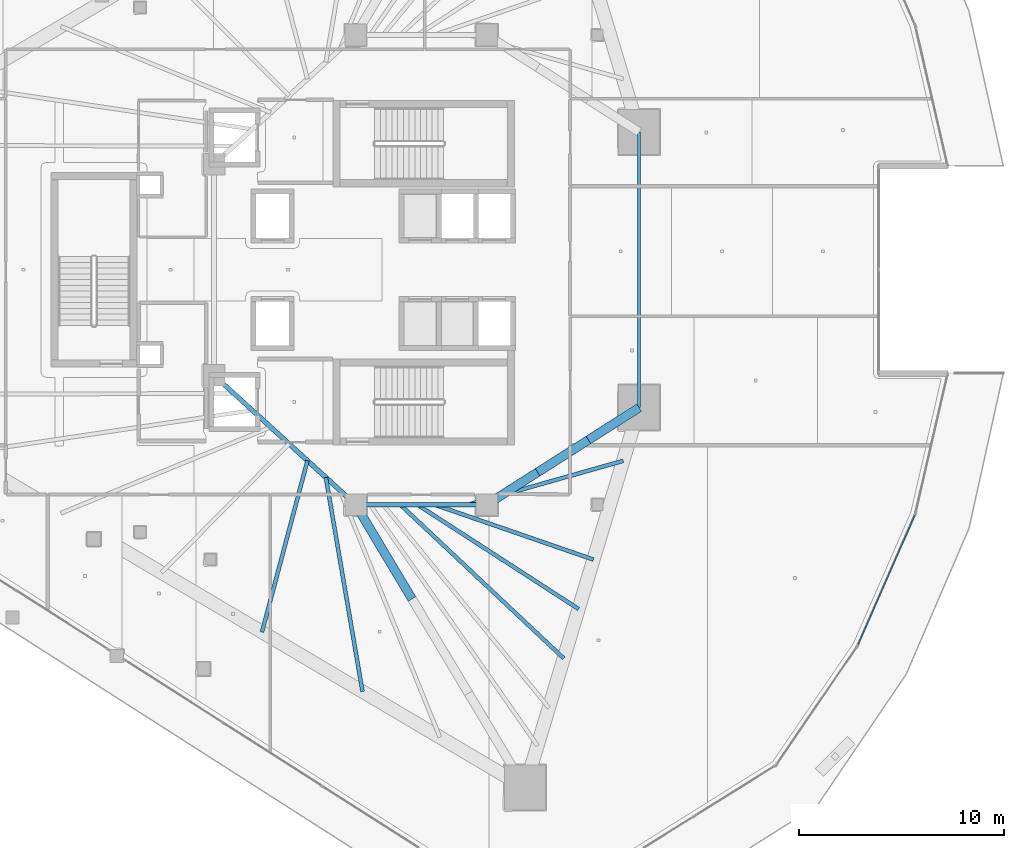
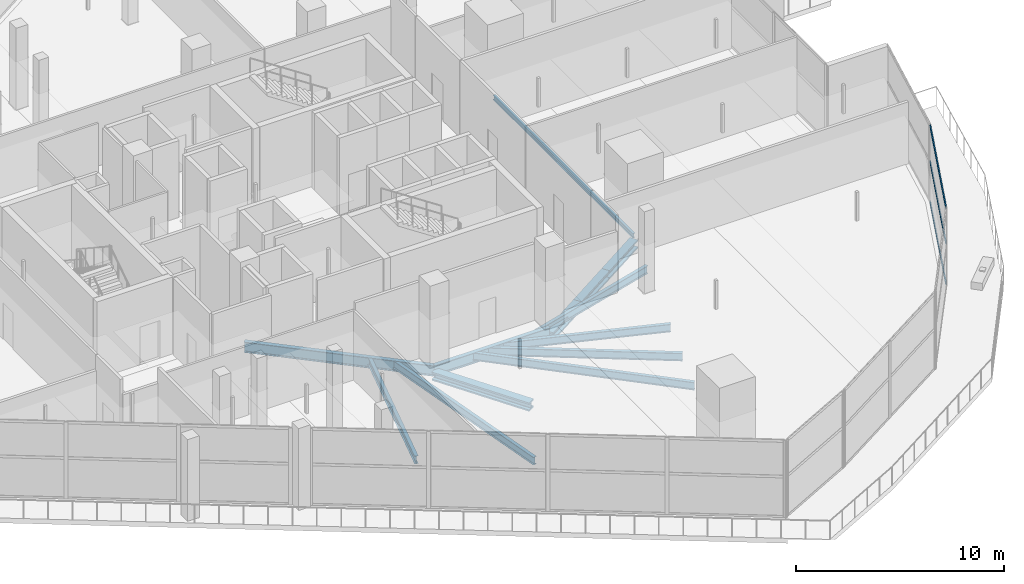
# One storey, part 10 of 42: 9 beams, 7 members, 1 element without a shape of its own.
"""IFC4 building model written with IfcOpenShell, lengths in metres."""

from ifc_helpers import new_model, si_unit, direction, frame, origin, origin_2d, place, context, subcontext, project, spatial, hollow_rectangle, i_section, extrude, material, layer, layer_set, material_profile, profile_set, type_object, element, aggregate, save


model = new_model("IFC4")

# Units and contexts
model_context = context("Model", 3, precision=1e-05, world=origin(), true_north=direction((0.0, 1.0)))
body_context = subcontext(model_context, "Body", "Model", "MODEL_VIEW")
ifc_project = project(units=[si_unit("LENGTHUNIT", "METRE"), si_unit("AREAUNIT", "SQUARE_METRE"), si_unit("VOLUMEUNIT", "CUBIC_METRE"), si_unit("PLANEANGLEUNIT", "RADIAN"), si_unit("MASSUNIT", "GRAM", prefix="KILO")], contexts=[model_context])

# Site, building, storey
site_placement = place(None, origin())
site = spatial("IfcSite", under=ifc_project, at=site_placement, CompositionType="ELEMENT")
building_placement = place(site_placement, origin())
building = spatial("IfcBuilding", under=site, at=building_placement, Name="Qorvath Tower", CompositionType="ELEMENT")
storey_placement = place(building_placement, frame((0.0, 0.0, 105.0)))
storey = spatial("IfcBuildingStorey", under=building, at=storey_placement, Name="L23", CompositionType="ELEMENT", Elevation=105.0)

# Beams
ifc_material_1 = material(Name="Steel ASTM A992 Grade 50", Category="steel")
ifc_material_profile_1 = material_profile(ifc_material_1, i_section(OverallWidth=0.22998046875, OverallDepth=0.616943359375, WebThickness=0.01318359375, FlangeThickness=0.022216796875, FilletRadius=0.014892578125, at=origin_2d()), Name="W24x94")
ifc_profile_set_1 = profile_set([ifc_material_profile_1], Name="Steel ASTM A992 Grade 50")
beam_type_1 = type_object("IfcBeamType", Name="BM-FG6", PredefinedType="BEAM", material=ifc_profile_set_1)
beam_1_placement = place(storey_placement, frame((-17.199951171875, -11.449951171875, -0.6083984375), z_axis=(-1.0, 0.0, 0.0), x_axis=(0.0, -1.0, 0.0)))
element("IfcBeam", 1, at=beam_1_placement, inside=storey, type_object=beam_type_1, Name="Core Ring Girder CC3-CC4 L23", PredefinedType="BEAM", context=body_context, shape_type="SweptSolid", body=[
    extrude(i_section(OverallWidth=0.22998046875, OverallDepth=0.616943359375, WebThickness=0.01318359375, FlangeThickness=0.022216796875, FilletRadius=0.014892578125, at=origin_2d()), origin(), (0.0, 0.0, 1.0), 6.400146484375),
])
beam_2_placement = place(storey_placement, frame((-23.60009765625, -11.449951171875, -0.6083984375), z_axis=(-0.73847813985, 0.6742774184, 0.0), x_axis=(-0.6742774184, -0.73847813985, 0.0)))
element("IfcBeam", 2, at=beam_2_placement, inside=storey, type_object=beam_type_1, Name="Core Ring Girder CC4-CC6 L23", PredefinedType="BEAM", context=body_context, shape_type="SweptSolid", body=[
    extrude(i_section(OverallWidth=0.22998046875, OverallDepth=0.616943359375, WebThickness=0.01318359375, FlangeThickness=0.022216796875, FilletRadius=0.014892578125, at=origin_2d()), origin(), (0.0, 0.0, 1.0), 9.343505859375),
])
ifc_material_2 = material(Name="Steel ASTM A992 Grade 50", Category="steel")
ifc_material_profile_2 = material_profile(ifc_material_2, i_section(OverallWidth=0.18994140625, OverallDepth=0.45703125, WebThickness=0.009033203125, FlangeThickness=0.014404296875, FilletRadius=0.011962890625, at=origin_2d()), Name="W18x50")
ifc_profile_set_2 = profile_set([ifc_material_profile_2], Name="Steel ASTM A992 Grade 50")
beam_type_2 = type_object("IfcBeamType", Name="BM-FJ2", PredefinedType="JOIST", material=ifc_profile_set_2)
beam_3_placement = place(storey_placement, frame((-18.095947265625, -11.449951171875, -0.528564453125), z_axis=(0.962222206221, 0.272265359264, 0.0), x_axis=(-0.272265359264, 0.962222206221, 0.0)))
element("IfcBeam", 3, at=beam_3_placement, inside=storey, type_object=beam_type_2, Name="Composite Floor Joist SE1 L23", PredefinedType="JOIST", context=body_context, shape_type="SweptSolid", body=[
    extrude(i_section(OverallWidth=0.18994140625, OverallDepth=0.45703125, WebThickness=0.009033203125, FlangeThickness=0.014404296875, FilletRadius=0.011962890625, at=origin_2d()), origin(), (0.0, 0.0, 1.0), 7.841552734375),
])
beam_4_placement = place(storey_placement, frame((-19.760009765625, -11.449951171875, -0.528564453125), z_axis=(0.945168345309, -0.326583525342, 0.0), x_axis=(0.326583525342, 0.945168345309, 0.0)))
element("IfcBeam", 4, at=beam_4_placement, inside=storey, type_object=beam_type_2, Name="Composite Floor Joist SE3 L23", PredefinedType="JOIST", context=body_context, shape_type="SweptSolid", body=[
    extrude(i_section(OverallWidth=0.18994140625, OverallDepth=0.45703125, WebThickness=0.009033203125, FlangeThickness=0.014404296875, FilletRadius=0.011962890625, at=origin_2d()), origin(), (0.0, 0.0, 1.0), 8.21044921875),
])
beam_5_placement = place(storey_placement, frame((-20.592041015625, -11.449951171875, -0.528564453125), z_axis=(0.839630966809, -0.543157288062, 0.0), x_axis=(0.543157288062, 0.839630966809, 0.0)))
element("IfcBeam", 5, at=beam_5_placement, inside=storey, type_object=beam_type_2, Name="Composite Floor Joist SE4 L23", PredefinedType="JOIST", context=body_context, shape_type="SweptSolid", body=[
    extrude(i_section(OverallWidth=0.18994140625, OverallDepth=0.45703125, WebThickness=0.009033203125, FlangeThickness=0.014404296875, FilletRadius=0.011962890625, at=origin_2d()), origin(), (0.0, 0.0, 1.0), 9.370361328125),
])
beam_6_placement = place(storey_placement, frame((-21.424072265625, -11.449951171875, -0.528564453125), z_axis=(0.728572459091, -0.684968737866, 0.0), x_axis=(0.684968737866, 0.728572459091, 0.0)))
element("IfcBeam", 6, at=beam_6_placement, inside=storey, type_object=beam_type_2, Name="Composite Floor Joist SE5 L23", PredefinedType="JOIST", context=body_context, shape_type="SweptSolid", body=[
    extrude(i_section(OverallWidth=0.18994140625, OverallDepth=0.45703125, WebThickness=0.009033203125, FlangeThickness=0.014404296875, FilletRadius=0.011962890625, at=origin_2d()), origin(), (0.0, 0.0, 1.0), 10.9462890625),
])
beam_7_placement = place(storey_placement, frame((-25.946044921875, -9.30810546875, -0.528564453125), z_axis=(-0.256507909517, -0.966542131702, 0.0), x_axis=(0.966542131702, -0.256507909517, 0.0)))
element("IfcBeam", 7, at=beam_7_placement, inside=storey, type_object=beam_type_2, Name="Composite Floor Joist SW5 L23", PredefinedType="JOIST", context=body_context, shape_type="SweptSolid", body=[
    extrude(i_section(OverallWidth=0.18994140625, OverallDepth=0.45703125, WebThickness=0.009033203125, FlangeThickness=0.014404296875, FilletRadius=0.011962890625, at=origin_2d()), origin(), (0.0, 0.0, 1.0), 8.64697265625),
])
beam_8_placement = place(storey_placement, frame((-25.049072265625, -10.126953125, -0.528564453125), z_axis=(0.168745594245, -0.985659639238, 0.0), x_axis=(0.985659639238, 0.168745594245, 0.0)))
element("IfcBeam", 8, at=beam_8_placement, inside=storey, type_object=beam_type_2, Name="Composite Floor Joist SW6 L23", PredefinedType="JOIST", context=body_context, shape_type="SweptSolid", body=[
    extrude(i_section(OverallWidth=0.18994140625, OverallDepth=0.45703125, WebThickness=0.009033203125, FlangeThickness=0.014404296875, FilletRadius=0.011962890625, at=origin_2d()), origin(), (0.0, 0.0, 1.0), 10.589111328125),
])
ifc_material_3 = material(Name="Steel ASTM A992 Grade 50", Category="steel")
ifc_material_profile_3 = material_profile(ifc_material_3, i_section(OverallWidth=0.14599609375, OverallDepth=0.258056640625, WebThickness=0.006103515625, FlangeThickness=0.009033203125, FilletRadius=0.009033203125, at=origin_2d()), Name="W10x22")
ifc_profile_set_3 = profile_set([ifc_material_profile_3], Name="Steel ASTM A992 Grade 50")
beam_type_3 = type_object("IfcBeamType", Name="BM-LN2", PredefinedType="LINTEL", material=ifc_profile_set_3)
beam_9_placement = place(storey_placement, frame((-9.770263671875, -6.721435546875, -0.428955078125), z_axis=(0.0, 1.0, 0.0), x_axis=(-1.0, 0.0, 0.0)))
element("IfcBeam", 9, at=beam_9_placement, inside=storey, type_object=beam_type_3, Name="Slot Portal Lintel Beam L23", PredefinedType="LINTEL", context=body_context, shape_type="SweptSolid", body=[
    extrude(i_section(OverallWidth=0.14599609375, OverallDepth=0.258056640625, WebThickness=0.006103515625, FlangeThickness=0.009033203125, FilletRadius=0.009033203125, at=origin_2d()), origin(), (0.0, 0.0, 1.0), 13.44287109375),
])

# Curtain wall, members
ifc_material_4 = material(Name="Anodised aluminium and triple low-E glass", Category="aluminium")
ifc_layer = layer(ifc_material_4, 0.179931640625)
ifc_layer_set = layer_set([ifc_layer], Name="CW-SYS-5")
curtain_wall_type = type_object("IfcCurtainWallType", Name="CW-SYS-5", PredefinedType="NOTDEFINED", material=ifc_layer_set)
curtain_wall_placement = place(storey_placement, origin())
curtain_wall = element("IfcCurtainWall", 10, at=curtain_wall_placement, inside=storey, type_object=curtain_wall_type, Name="Curtain Wall CW-5 CW-T-L23-6.1", PredefinedType="NOTDEFINED")
ifc_material_5 = material(Name="Anodised aluminium 6063-T6", Category="aluminium")
ifc_material_profile_4 = material_profile(ifc_material_5, hollow_rectangle(XDim=0.06494140625, YDim=0.159912109375, WallThickness=0.00341796875, InnerFilletRadius=0.00341796875, OuterFilletRadius=0.007080078125, at=origin_2d()), Name="CWT 160x65")
ifc_profile_set_4 = profile_set([ifc_material_profile_4], Name="Anodised aluminium 6063-T6")
member_type_1 = type_object("IfcMemberType", Name="CWT-160", PredefinedType="USERDEFINED", material=ifc_profile_set_4)
member_1_placement = place(storey_placement, frame((0.90283203125, -18.281005859375, 0.032470703125), z_axis=(0.401503378028, 0.915857542106, 0.0), x_axis=(-0.915857542106, 0.401503378028, 0.0)))
member_1 = element("IfcMember", 11, at=member_1_placement, type_object=member_type_1, Name="CW-5 transom 1.1", ObjectType="TRANSOM", PredefinedType="USERDEFINED", context=body_context, shape_type="SweptSolid", body=[
    extrude(hollow_rectangle(XDim=0.06494140625, YDim=0.159912109375, WallThickness=0.00341796875, InnerFilletRadius=0.00341796875, OuterFilletRadius=0.007080078125, at=origin_2d()), origin(), (0.0, 0.0, 1.0), 6.884033203125),
])
member_2_placement = place(storey_placement, frame((0.90283203125, -18.281005859375, 2.39990234375), z_axis=(0.401503378028, 0.915857542106, 0.0), x_axis=(-0.915857542106, 0.401503378028, 0.0)))
member_2 = element("IfcMember", 12, at=member_2_placement, type_object=member_type_1, Name="CW-5 transom 1.2", ObjectType="TRANSOM", PredefinedType="USERDEFINED", context=body_context, shape_type="SweptSolid", body=[
    extrude(hollow_rectangle(XDim=0.06494140625, YDim=0.159912109375, WallThickness=0.00341796875, InnerFilletRadius=0.00341796875, OuterFilletRadius=0.007080078125, at=origin_2d()), origin(), (0.0, 0.0, 1.0), 6.884033203125),
])
member_3_placement = place(storey_placement, frame((0.90283203125, -18.281005859375, 4.487548828125), z_axis=(0.401503378028, 0.915857542106, 0.0), x_axis=(-0.915857542106, 0.401503378028, 0.0)))
member_3 = element("IfcMember", 13, at=member_3_placement, type_object=member_type_1, Name="CW-5 transom 1.3", ObjectType="TRANSOM", PredefinedType="USERDEFINED", context=body_context, shape_type="SweptSolid", body=[
    extrude(hollow_rectangle(XDim=0.06494140625, YDim=0.159912109375, WallThickness=0.00341796875, InnerFilletRadius=0.00341796875, OuterFilletRadius=0.007080078125, at=origin_2d()), origin(), (0.0, 0.0, 1.0), 6.884033203125),
])
aggregate(curtain_wall, [member_1, member_2, member_3])

# Members
ifc_material_6 = material(Name="Steel ASTM A913 Grade 65", Category="steel")
ifc_material_profile_5 = material_profile(ifc_material_6, i_section(OverallWidth=0.431884765625, OverallDepth=0.498046875, WebThickness=0.0556640625, FlangeThickness=0.0888671875, FilletRadius=0.02490234375, at=origin_2d()), Name="W14x500")
ifc_profile_set_5 = profile_set([ifc_material_profile_5], Name="Steel ASTM A913 Grade 65")
member_type_2 = type_object("IfcMemberType", Name="MEM-OT1", PredefinedType="CHORD", material=ifc_profile_set_5)
for number, where, z_axis, x_axis, name in (
    (14, (-17.199951171875, -11.449951171875, -0.85009765625), (0.843634090834, 0.536918542037, 0.0), (-0.536918542037, 0.843634090834, 0.0), "Outrigger and Belt Truss Top Chord OB1-3.1"),
    (15, (-14.723388671875, -9.873779296875, -0.85009765625), (0.843634090834, 0.536918542037, 0.0), (-0.536918542037, 0.843634090834, 0.0), "Outrigger and Belt Truss Top Chord OB1-3.2"),
    (16, (-12.246826171875, -8.297607421875, -0.85009765625), (0.843634090834, 0.536918542037, 0.0), (-0.536918542037, 0.843634090834, 0.0), "Outrigger and Belt Truss Top Chord OB1-3.3"),
):
    element("IfcMember", number, at=place(storey_placement, frame(where, z_axis=z_axis, x_axis=x_axis)), inside=storey, type_object=member_type_2, Name=name, PredefinedType="CHORD", context=body_context, shape_type="SweptSolid", body=[
        extrude(i_section(OverallWidth=0.431884765625, OverallDepth=0.498046875, WebThickness=0.0556640625, FlangeThickness=0.0888671875, FilletRadius=0.02490234375, at=origin_2d()), origin(), (0.0, 0.0, 1.0), 2.935546875),
    ])
member_4_placement = place(storey_placement, frame((-23.60009765625, -11.449951171875, -0.85009765625), z_axis=(0.513503904971, -0.85808725639, 0.0), x_axis=(0.85808725639, 0.513503904971, 0.0)))
element("IfcMember", 17, at=member_4_placement, inside=storey, type_object=member_type_2, Name="Outrigger and Belt Truss Top Chord OB1-4.1", PredefinedType="CHORD", context=body_context, shape_type="SweptSolid", body=[
    extrude(i_section(OverallWidth=0.431884765625, OverallDepth=0.498046875, WebThickness=0.0556640625, FlangeThickness=0.0888671875, FilletRadius=0.02490234375, at=origin_2d()), origin(), (0.0, 0.0, 1.0), 5.359130859375),
])

save(model, "model.ifc")
